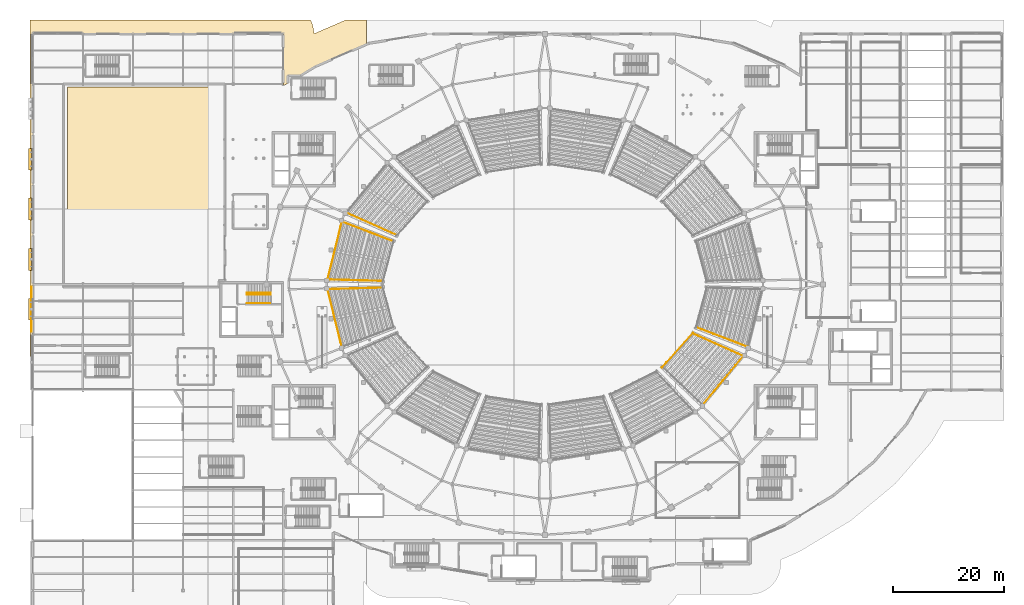
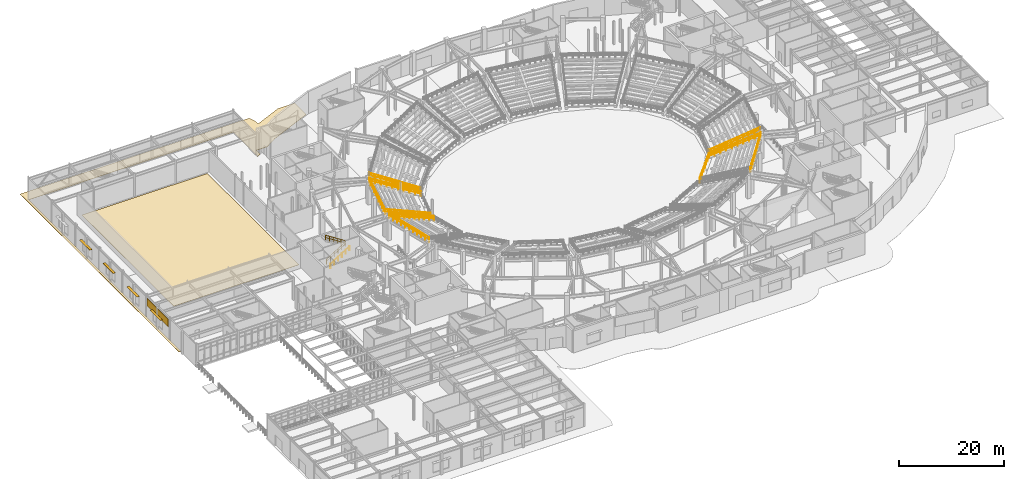
# One storey, part 74 of 79: 12 railings, 4 shading devices, 3 coverings.
"""IFC4 building model written with IfcOpenShell, lengths in metres."""

import ifcopenshell
import ifcopenshell.guid

model = None  # the IFC model being written
_history = None  # IfcOwnerHistory: only IFC2X3 demands one
_inside = {}  # id of a spatial element -> (the spatial element, [elements in it])
_under = {}  # id of a project, library or spatial element -> (it, [spatial elements below it])
_declared = {}  # id of a project -> (the project, [libraries it declares])
_typed = {}  # id of a type object -> (the type object, [elements of that type])
_made_of = {}  # id of a material, layer set ... -> (it, [elements and type objects made of it])


def new_model(schema):
    """Start an empty IFC model of exactly this schema.

    Asked for "IFC4X3", IfcOpenShell would pick the latest addendum, in which some entities
    have other attributes; the version numbers below select the first issue.
    IFC2X3 requires an IfcOwnerHistory on every rooted entity: one is made here for all.
    """
    global model, _history
    if schema == "IFC4X3":
        model = ifcopenshell.file(schema_version=(4, 3, 0, 0))
    else:
        model = ifcopenshell.file(schema=schema)
    _inside.clear()
    _under.clear()
    _declared.clear()
    _typed.clear()
    _made_of.clear()
    _history = None
    if model.schema == "IFC2X3":
        org = make("IfcOrganization", Name="unknown")
        user = make(
            "IfcPersonAndOrganization",
            ThePerson=make("IfcPerson", FamilyName="unknown"),
            TheOrganization=org,
        )
        app = make(
            "IfcApplication",
            ApplicationDeveloper=org,
            Version="unknown",
            ApplicationFullName="unknown",
            ApplicationIdentifier="unknown",
        )
        _history = make(
            "IfcOwnerHistory",
            OwningUser=user,
            OwningApplication=app,
            ChangeAction="ADDED",
            CreationDate=0,
        )
    return model


def make(cls, **values):
    """One entity of the class cls with the attributes given. An attribute that is None is left unset."""
    return model.create_entity(
        cls, **{name: value for name, value in values.items() if value is not None}
    )


def rooted(cls, **values):
    """An entity with a GlobalId (a new one), such as an element, a storey or a relation."""
    return make(cls, GlobalId=ifcopenshell.guid.new(), OwnerHistory=_history, **values)


def si_unit(unit_type, name, prefix=None):
    """IfcSIUnit, for example si_unit("LENGTHUNIT", "METRE", prefix="MILLI")."""
    return make("IfcSIUnit", UnitType=unit_type, Prefix=prefix, Name=name)


def assignment(units):
    """IfcUnitAssignment: the units of a project."""
    return None if units is None else make("IfcUnitAssignment", Units=units)


def point(xyz):
    """IfcCartesianPoint."""
    return None if xyz is None else make("IfcCartesianPoint", Coordinates=xyz)


def direction(xyz):
    """IfcDirection."""
    return None if xyz is None else make("IfcDirection", DirectionRatios=xyz)


def frame(location, z_axis=None, x_axis=None):
    """IfcAxis2Placement3D, a coordinate frame: its origin and axes. An axis left out is left unset."""
    return make(
        "IfcAxis2Placement3D",
        Location=point(location),
        Axis=direction(z_axis),
        RefDirection=direction(x_axis),
    )


def frame_2d(location, x_axis=None):
    """IfcAxis2Placement2D, a coordinate frame in the plane: its origin and x axis."""
    return make(
        "IfcAxis2Placement2D", Location=point(location), RefDirection=direction(x_axis)
    )


def origin():
    """The frame at (0, 0, 0) with its axes left unset."""
    return frame((0.0, 0.0, 0.0))


def origin_2d():
    """The frame at (0, 0) in the plane with its x axis left unset."""
    return frame_2d((0.0, 0.0))


def place(relative_to, where):
    """IfcLocalPlacement: puts the frame where relative to a parent placement (None: the world)."""
    return make(
        "IfcLocalPlacement", PlacementRelTo=relative_to, RelativePlacement=where
    )


def context(
    kind, dimensions, precision=None, world=None, true_north=None, identifier=None
):
    """IfcGeometricRepresentationContext, for example the 3D "Model" context."""
    return make(
        "IfcGeometricRepresentationContext",
        ContextIdentifier=identifier,
        ContextType=kind,
        CoordinateSpaceDimension=dimensions,
        Precision=precision,
        WorldCoordinateSystem=world,
        TrueNorth=true_north,
    )


def subcontext(parent, identifier, kind, view, scale=None):
    """IfcGeometricRepresentationSubContext, for example "Body" below "Model"."""
    return make(
        "IfcGeometricRepresentationSubContext",
        ContextIdentifier=identifier,
        ContextType=kind,
        ParentContext=parent,
        TargetScale=scale,
        TargetView=view,
    )


def project(units=None, contexts=None):
    """IfcProject with its units and contexts."""
    return rooted(
        "IfcProject",
        Name="project",
        RepresentationContexts=contexts,
        UnitsInContext=assignment(units),
    )


def spatial(cls, under=None, at=None, **own):
    """A site, building, storey or space (cls), placed at a placement, below another one or the project."""
    s = rooted(cls, ObjectPlacement=at, **own)
    if under is not None:
        _under.setdefault(under.id(), (under, []))[1].append(s)
    return s


def polyline(points):
    """IfcPolyline through the points."""
    return make("IfcPolyline", Points=[point(p) for p in points])


def profile(cls, at=None, kind="AREA", **sizes):
    """A parametric profile (cls). Its sizes go by their IFC names, for example OverallWidth=200.0."""
    return make(cls, ProfileType=kind, Position=at, **sizes)


def rectangle(**sizes):
    """IfcRectangleProfileDef."""
    return profile("IfcRectangleProfileDef", **sizes)


def circle(**sizes):
    """IfcCircleProfileDef."""
    return profile("IfcCircleProfileDef", **sizes)


def outline(outer, holes=None, kind="AREA"):
    """IfcArbitraryClosedProfileDef: a profile drawn as a closed curve; with holes, ...WithVoids."""
    if holes is None:
        return make("IfcArbitraryClosedProfileDef", ProfileType=kind, OuterCurve=outer)
    return make(
        "IfcArbitraryProfileDefWithVoids",
        ProfileType=kind,
        OuterCurve=outer,
        InnerCurves=holes,
    )


def extrude(swept, where, along, depth):
    """IfcExtrudedAreaSolid: the profile swept, set in the frame where, extruded along a direction by depth."""
    return make(
        "IfcExtrudedAreaSolid",
        SweptArea=swept,
        Position=where,
        ExtrudedDirection=direction(along),
        Depth=depth,
    )


def shape(context_of_items, identifier, shape_type, items):
    """IfcShapeRepresentation: the items that make up one representation, for example the "Body"."""
    return make(
        "IfcShapeRepresentation",
        ContextOfItems=context_of_items,
        RepresentationIdentifier=identifier,
        RepresentationType=shape_type,
        Items=items,
    )


def material(Name=None, Category=None):
    """IfcMaterial."""
    return make("IfcMaterial", Name=Name, Category=Category)


def layer(
    of_material, thickness, ventilated=None, Name=None, Category=None, Priority=None
):
    """IfcMaterialLayer: one layer of a wall or slab, of a material (None: an air gap)."""
    return make(
        "IfcMaterialLayer",
        Material=of_material,
        LayerThickness=thickness,
        IsVentilated=ventilated,
        Name=Name,
        Category=Category,
        Priority=Priority,
    )


def layer_set(layers, Name=None):
    """IfcMaterialLayerSet."""
    return make("IfcMaterialLayerSet", MaterialLayers=layers, LayerSetName=Name)


def made_of(thing, what):
    """Note that an element or type object is made of a material, layer set ...; save() writes the relation."""
    if what is not None:
        _made_of.setdefault(what.id(), (what, []))[1].append(thing)
    return thing


def type_object(cls, material=None, **own):
    """A type object (cls), such as IfcWallType, which elements share."""
    return made_of(rooted(cls, **own), material)


def element(
    cls,
    number,
    at=None,
    inside=None,
    cuts=None,
    type_object=None,
    material=None,
    context=None,
    identifier="Body",
    shape_type=None,
    held_by="IfcProductDefinitionShape",
    body=None,
    shapes=None,
    **own,
):
    """One element of the class cls, such as IfcWall. Its Tag is "e" and its number.

    at: its placement. inside: the storey or other place that contains it. cuts: it is an
    opening in that element (IfcRelVoidsElement). A single representation is given by context,
    identifier, shape_type and body (its items); several are given by shapes. held_by: the class
    of the entity that holds the representations. save() writes the other relations.
    """
    e = rooted(cls, Tag="e%d" % number, ObjectPlacement=at, **own)
    if body is not None:
        shapes = [shape(context, identifier, shape_type, body)]
    if shapes is not None:
        e.Representation = make(held_by, Representations=shapes)
    if inside is not None:
        _inside.setdefault(inside.id(), (inside, []))[1].append(e)
    if cuts is not None:
        rooted(
            "IfcRelVoidsElement", RelatingBuildingElement=cuts, RelatedOpeningElement=e
        )
    if type_object is not None:
        _typed.setdefault(type_object.id(), (type_object, []))[1].append(e)
    return made_of(e, material)


def aggregate(whole, parts):
    """IfcRelAggregates: a whole, such as a stair, and the parts it consists of."""
    return rooted("IfcRelAggregates", RelatingObject=whole, RelatedObjects=parts)


def save(model, path):
    """Write the relations noted so far, then the file.

    IfcRelAggregates (storeys below a building ...), IfcRelContainedInSpatialStructure (elements
    in a storey), IfcRelDefinesByType, IfcRelAssociatesMaterial and IfcRelDeclares: one each for
    every whole, place, type object, material and project.
    """
    for whole, parts in _under.values():
        aggregate(whole, parts)
    for where, things in _inside.values():
        rooted(
            "IfcRelContainedInSpatialStructure",
            RelatedElements=things,
            RelatingStructure=where,
        )
    for kind, things in _typed.values():
        rooted("IfcRelDefinesByType", RelatedObjects=things, RelatingType=kind)
    for what, things in _made_of.values():
        rooted("IfcRelAssociatesMaterial", RelatedObjects=things, RelatingMaterial=what)
    for by, libraries in _declared.values():
        rooted("IfcRelDeclares", RelatingContext=by, RelatedDefinitions=libraries)
    model.write(path)


model = new_model("IFC4")

# Units and contexts
model_context = context("Model", 3, precision=1e-05, world=origin(), true_north=direction((0.0, 1.0)))
body_context = subcontext(model_context, "Body", "Model", "MODEL_VIEW")
ifc_project = project(units=[si_unit("LENGTHUNIT", "METRE"), si_unit("AREAUNIT", "SQUARE_METRE"), si_unit("VOLUMEUNIT", "CUBIC_METRE"), si_unit("PLANEANGLEUNIT", "RADIAN"), si_unit("MASSUNIT", "GRAM", prefix="KILO")], contexts=[model_context])

# Site, building, storey
site_placement = place(None, origin())
site = spatial("IfcSite", under=ifc_project, at=site_placement, CompositionType="ELEMENT")
building_placement = place(site_placement, origin())
building = spatial("IfcBuilding", under=site, at=building_placement, Name="Glasvene Arena", CompositionType="ELEMENT")
storey_placement = place(building_placement, origin())
storey = spatial("IfcBuildingStorey", under=building, at=storey_placement, Name="L00", CompositionType="ELEMENT", Elevation=0.0)

# Coverings
ifc_material_1 = material(Name="Coursed pale Irish limestone", Category="masonry")
ifc_layer_1 = layer(ifc_material_1, 0.050048828125)
ifc_layer_set_1 = layer_set([ifc_layer_1], Name="Coursed pale Irish limestone")
covering_type_1 = type_object("IfcCoveringType", Name="COV-CLAD-LIM", PredefinedType="CLADDING", material=ifc_layer_set_1)
covering_1_placement = place(storey_placement, frame((-0.219970703125, 68.532958984375, 2.949951171875), z_axis=(0.0, 0.0, 1.0), x_axis=(0.0, 1.0, 0.0)))
element("IfcCovering", 1, at=covering_1_placement, inside=storey, type_object=covering_type_1, Name="Irish limestone spandrel cladding EW-L00-0002", PredefinedType="CLADDING", context=body_context, shape_type="SweptSolid", body=[
    extrude(rectangle(XDim=8.06201171875, YDim=0.050048828125, at=origin_2d()), origin(), (0.0, 0.0, 1.0), 1.81494140625),
])
ifc_material_2 = material(Name="Sprung European maple sports flooring")
ifc_layer_2 = layer(ifc_material_2, 0.050048828125)
ifc_layer_set_2 = layer_set([ifc_layer_2], Name="Sprung European maple sports flooring")
covering_type_2 = type_object("IfcCoveringType", Name="COV-FLR-COURT", PredefinedType="FLOORING", material=ifc_layer_set_2)
covering_2_placement = place(storey_placement, frame((20.0, 91.0, 0.0)))
element("IfcCovering", 2, at=covering_2_placement, inside=storey, type_object=covering_type_2, Name="Warm-up practice court sprung maple sports surface", PredefinedType="FLOORING", context=body_context, shape_type="SweptSolid", body=[
    extrude(outline(polyline([(-13.800048828125, -17.5), (13.800048828125, -17.5), (13.800048828125, 17.5), (-13.800048828125, 17.5), (-13.800048828125, -17.5)])), origin(), (0.0, 0.0, 1.0), 0.050048828125),
])
ifc_material_3 = material(Name="Irish silver-grey granite paving", Category="masonry")
ifc_layer_3 = layer(ifc_material_3, 0.06005859375)
ifc_layer_set_3 = layer_set([ifc_layer_3], Name="Irish silver-grey granite paving")
covering_type_3 = type_object("IfcCoveringType", Name="COV-PLAZA-GRAN", PredefinedType="FLOORING", material=ifc_layer_set_3)
covering_3_placement = place(storey_placement, frame((39.859619140625, 110.556396484375, -0.06005859375)))
element("IfcCovering", 3, at=covering_3_placement, inside=storey, type_object=covering_type_3, Name="Perimeter granite street plaza paving 02", PredefinedType="FLOORING", context=body_context, shape_type="SweptSolid", body=[
    extrude(outline(polyline([(10.03466796875, 9.943603515625), (10.2216796875, 9.54833984375), (10.403564453125, 9.040283203125), (10.53466796875, 8.5166015625), (10.61376953125, 7.982666015625), (10.6396484375, 7.460693359375), (16.364501953125, 9.943603515625), (20.140380859375, 9.943603515625), (20.140380859375, 5.596923828125), (10.904052734375, 1.59130859375), (8.277099609375, 0.003662109375), (5.9404296875, 0.003662109375), (5.930419921875, -1.414794921875), (5.150390625, -1.886474609375), (5.150390625, 7.443603515625), (-39.859619140625, 7.45361328125), (-39.86962890625, -50.556396484375), (-40.359619140625, -50.556396484375), (-40.359619140625, 9.943603515625), (10.03466796875, 9.943603515625)])), origin(), (0.0, 0.0, 1.0), 0.06005859375),
])

# Railings
ifc_material_4 = material(Name="Brushed stainless steel", Category="steel")
railing_type_1 = type_object("IfcRailingType", Name="RL-GUARD-1100", PredefinedType="GUARDRAIL", material=ifc_material_4)
railing_1_placement = place(storey_placement, frame((38.449951171875, 71.159912109375, 0.0)))
element("IfcRailing", 4, at=railing_1_placement, inside=storey, type_object=railing_type_1, Name="Stair inner well continuous guardrail ST-07-L00", PredefinedType="GUARDRAIL", context=body_context, shape_type="SweptSolid", body=[
    extrude(circle(Radius=0.02392578125, at=origin_2d()), frame((0.0, 0.0, 1.076171875), z_axis=(0.843501457581, 0.0, 0.537126885437), x_axis=(0.0, 1.0, 0.0)), (0.0, 0.0, 1.0), 5.026611328125),
    extrude(circle(Radius=0.01611328125, at=origin_2d()), frame((0.0, 0.0, 0.550048828125), z_axis=(0.843501457581, 0.0, 0.537126885437), x_axis=(0.0, 1.0, 0.0)), (0.0, 0.0, 1.0), 5.026611328125),
    extrude(circle(Radius=0.02392578125, at=origin_2d()), frame((4.239990234375, 0.0, 3.77587890625), z_axis=(0.0, 1.0, 0.0), x_axis=(-1.0, 0.0, 0.0)), (0.0, 0.0, 1.0), 0.330078125),
    extrude(circle(Radius=0.01611328125, at=origin_2d()), frame((4.239990234375, 0.0, 3.25), z_axis=(0.0, 1.0, 0.0), x_axis=(-1.0, 0.0, 0.0)), (0.0, 0.0, 1.0), 0.330078125),
    extrude(circle(Radius=0.02392578125, at=origin_2d()), frame((4.239990234375, 0.330078125, 3.77587890625), z_axis=(-0.843501457581, 0.0, 0.537126885437), x_axis=(0.0, -1.0, 0.0)), (0.0, 0.0, 1.0), 5.026611328125),
    extrude(circle(Radius=0.01611328125, at=origin_2d()), frame((4.239990234375, 0.330078125, 3.25), z_axis=(-0.843501457581, 0.0, 0.537126885437), x_axis=(0.0, -1.0, 0.0)), (0.0, 0.0, 1.0), 5.026611328125),
    extrude(circle(Radius=0.02099609375, at=origin_2d()), origin(), (0.0, 0.0, 1.0), 1.052001953125),
    extrude(circle(Radius=0.02099609375, at=origin_2d()), frame((0.847900390625, 0.0, 0.5400390625)), (0.0, 0.0, 1.0), 1.052001953125),
    extrude(circle(Radius=0.02099609375, at=origin_2d()), frame((1.696044921875, 0.0, 1.080078125)), (0.0, 0.0, 1.0), 1.052001953125),
    extrude(circle(Radius=0.02099609375, at=origin_2d()), frame((2.5439453125, 0.0, 1.619873046875)), (0.0, 0.0, 1.0), 1.052001953125),
    extrude(circle(Radius=0.02099609375, at=origin_2d()), frame((3.39208984375, 0.0, 2.159912109375)), (0.0, 0.0, 1.0), 1.052001953125),
    extrude(circle(Radius=0.02099609375, at=origin_2d()), frame((4.239990234375, 0.0, 2.699951171875)), (0.0, 0.0, 1.0), 1.052001953125),
    extrude(circle(Radius=0.02099609375, at=origin_2d()), frame((4.239990234375, 0.330078125, 2.699951171875)), (0.0, 0.0, 1.0), 1.052001953125),
    extrude(circle(Radius=0.02099609375, at=origin_2d()), frame((3.39208984375, 0.330078125, 3.239990234375)), (0.0, 0.0, 1.0), 1.052001953125),
    extrude(circle(Radius=0.02099609375, at=origin_2d()), frame((2.5439453125, 0.330078125, 3.780029296875)), (0.0, 0.0, 1.0), 1.052001953125),
    extrude(circle(Radius=0.02099609375, at=origin_2d()), frame((1.696044921875, 0.330078125, 4.31982421875)), (0.0, 0.0, 1.0), 1.052001953125),
    extrude(circle(Radius=0.02099609375, at=origin_2d()), frame((0.847900390625, 0.330078125, 4.85986328125)), (0.0, 0.0, 1.0), 1.052001953125),
    extrude(circle(Radius=0.02099609375, at=origin_2d()), frame((0.0, 0.330078125, 5.39990234375)), (0.0, 0.0, 1.0), 1.052001953125),
])
railing_2_placement = place(storey_placement, frame((65.38818359375, 81.835693359375, 0.760009765625)))
element("IfcRailing", 5, at=railing_2_placement, inside=storey, type_object=railing_type_1, Name="Lower tier radial aisle guard 07-2", PredefinedType="GUARDRAIL", context=body_context, shape_type="SweptSolid", body=[
    extrude(circle(Radius=0.02392578125, at=origin_2d()), frame((0.0, 0.0, 1.076171875), z_axis=(-0.841042563184, 0.375970107459, 0.388965146523), x_axis=(-0.408107570305, -0.912933848129, 0.0)), (0.0, 0.0, 1.0), 10.746337890625),
    extrude(circle(Radius=0.01611328125, at=origin_2d()), frame((0.0, 0.0, 0.550048828125), z_axis=(-0.841042563184, 0.375970107459, 0.388965146523), x_axis=(-0.408107570305, -0.912933848129, 0.0)), (0.0, 0.0, 1.0), 10.746337890625),
    extrude(circle(Radius=0.02099609375, at=origin_2d()), origin(), (0.0, 0.0, 1.0), 1.052001953125),
    extrude(circle(Radius=0.02099609375, at=origin_2d()), frame((-1.004150390625, 0.448974609375, 0.46435546875)), (0.0, 0.0, 1.0), 1.052001953125),
    extrude(circle(Radius=0.02099609375, at=origin_2d()), frame((-2.008544921875, 0.89794921875, 0.928955078125)), (0.0, 0.0, 1.0), 1.052001953125),
    extrude(circle(Radius=0.02099609375, at=origin_2d()), frame((-3.0126953125, 1.3466796875, 1.393310546875)), (0.0, 0.0, 1.0), 1.052001953125),
    extrude(circle(Radius=0.02099609375, at=origin_2d()), frame((-4.016845703125, 1.795654296875, 1.857666015625)), (0.0, 0.0, 1.0), 1.052001953125),
    extrude(circle(Radius=0.02099609375, at=origin_2d()), frame((-5.021240234375, 2.24462890625, 2.322265625)), (0.0, 0.0, 1.0), 1.052001953125),
    extrude(circle(Radius=0.02099609375, at=origin_2d()), frame((-6.025390625, 2.693603515625, 2.78662109375)), (0.0, 0.0, 1.0), 1.052001953125),
    extrude(circle(Radius=0.02099609375, at=origin_2d()), frame((-7.029541015625, 3.142333984375, 3.2509765625)), (0.0, 0.0, 1.0), 1.052001953125),
    extrude(circle(Radius=0.02099609375, at=origin_2d()), frame((-8.033935546875, 3.59130859375, 3.715576171875)), (0.0, 0.0, 1.0), 1.052001953125),
    extrude(circle(Radius=0.02099609375, at=origin_2d()), frame((-9.0380859375, 4.040283203125, 4.179931640625)), (0.0, 0.0, 1.0), 1.052001953125),
])
railing_3_placement = place(storey_placement, frame((55.564697265625, 84.420166015625, 4.93994140625)))
element("IfcRailing", 6, at=railing_3_placement, inside=storey, type_object=railing_type_1, Name="Safety guardrail GD-TL-LR-08-001", PredefinedType="GUARDRAIL", context=body_context, shape_type="SweptSolid", body=[
    extrude(circle(Radius=0.02392578125, at=origin_2d()), frame((0.0, 0.0, 1.076171875), z_axis=(-0.239000734446, -0.971019386487, 0.0), x_axis=(0.971019386487, -0.239000734446, 0.0)), (0.0, 0.0, 1.0), 11.02294921875),
    extrude(circle(Radius=0.01611328125, at=origin_2d()), frame((0.0, 0.0, 0.550048828125), z_axis=(-0.239000734446, -0.971019386487, 0.0), x_axis=(0.971019386487, -0.239000734446, 0.0)), (0.0, 0.0, 1.0), 11.02294921875),
    extrude(circle(Radius=0.02099609375, at=origin_2d()), origin(), (0.0, 0.0, 1.0), 1.052001953125),
    extrude(circle(Radius=0.02099609375, at=origin_2d()), frame((-0.263427734375, -1.0703125, 0.0)), (0.0, 0.0, 1.0), 1.052001953125),
    extrude(circle(Radius=0.02099609375, at=origin_2d()), frame((-0.52685546875, -2.140625, 0.0)), (0.0, 0.0, 1.0), 1.052001953125),
    extrude(circle(Radius=0.02099609375, at=origin_2d()), frame((-0.790283203125, -3.211181640625, 0.0)), (0.0, 0.0, 1.0), 1.052001953125),
    extrude(circle(Radius=0.02099609375, at=origin_2d()), frame((-1.0537109375, -4.281494140625, 0.0)), (0.0, 0.0, 1.0), 1.052001953125),
    extrude(circle(Radius=0.02099609375, at=origin_2d()), frame((-1.3173828125, -5.351806640625, 0.0)), (0.0, 0.0, 1.0), 1.052001953125),
    extrude(circle(Radius=0.02099609375, at=origin_2d()), frame((-1.580810546875, -6.422119140625, 0.0)), (0.0, 0.0, 1.0), 1.052001953125),
    extrude(circle(Radius=0.02099609375, at=origin_2d()), frame((-1.84423828125, -7.492431640625, 0.0)), (0.0, 0.0, 1.0), 1.052001953125),
    extrude(circle(Radius=0.02099609375, at=origin_2d()), frame((-2.107666015625, -8.56298828125, 0.0)), (0.0, 0.0, 1.0), 1.052001953125),
    extrude(circle(Radius=0.02099609375, at=origin_2d()), frame((-2.37109375, -9.63330078125, 0.0)), (0.0, 0.0, 1.0), 1.052001953125),
    extrude(circle(Radius=0.02099609375, at=origin_2d()), frame((-2.634521484375, -10.70361328125, 0.0)), (0.0, 0.0, 1.0), 1.052001953125),
])
railing_4_placement = place(storey_placement, frame((64.7705078125, 80.728271484375, 0.760009765625)))
element("IfcRailing", 7, at=railing_4_placement, inside=storey, type_object=railing_type_1, Name="Lower tier radial aisle guard 08-1", PredefinedType="GUARDRAIL", context=body_context, shape_type="SweptSolid", body=[
    extrude(circle(Radius=0.02392578125, at=origin_2d()), frame((0.0, 0.0, 1.076171875), z_axis=(-0.860565498755, 0.328831939306, 0.388968608046), x_axis=(-0.356940655719, -0.934127062179, 0.0)), (0.0, 0.0, 1.0), 10.74609375),
    extrude(circle(Radius=0.01611328125, at=origin_2d()), frame((0.0, 0.0, 0.550048828125), z_axis=(-0.860565498755, 0.328831939306, 0.388968608046), x_axis=(-0.356940655719, -0.934127062179, 0.0)), (0.0, 0.0, 1.0), 10.74609375),
    extrude(circle(Radius=0.02099609375, at=origin_2d()), origin(), (0.0, 0.0, 1.0), 1.052001953125),
    extrude(circle(Radius=0.02099609375, at=origin_2d()), frame((-1.027587890625, 0.392578125, 0.46435546875)), (0.0, 0.0, 1.0), 1.052001953125),
    extrude(circle(Radius=0.02099609375, at=origin_2d()), frame((-2.05517578125, 0.78515625, 0.928955078125)), (0.0, 0.0, 1.0), 1.052001953125),
    extrude(circle(Radius=0.02099609375, at=origin_2d()), frame((-3.08251953125, 1.177978515625, 1.393310546875)), (0.0, 0.0, 1.0), 1.052001953125),
    extrude(circle(Radius=0.02099609375, at=origin_2d()), frame((-4.110107421875, 1.570556640625, 1.857666015625)), (0.0, 0.0, 1.0), 1.052001953125),
    extrude(circle(Radius=0.02099609375, at=origin_2d()), frame((-5.1376953125, 1.963134765625, 2.322265625)), (0.0, 0.0, 1.0), 1.052001953125),
    extrude(circle(Radius=0.02099609375, at=origin_2d()), frame((-6.165283203125, 2.355712890625, 2.78662109375)), (0.0, 0.0, 1.0), 1.052001953125),
    extrude(circle(Radius=0.02099609375, at=origin_2d()), frame((-7.192626953125, 2.74853515625, 3.2509765625)), (0.0, 0.0, 1.0), 1.052001953125),
    extrude(circle(Radius=0.02099609375, at=origin_2d()), frame((-8.22021484375, 3.14111328125, 3.715576171875)), (0.0, 0.0, 1.0), 1.052001953125),
    extrude(circle(Radius=0.02099609375, at=origin_2d()), frame((-9.247802734375, 3.53369140625, 4.179931640625)), (0.0, 0.0, 1.0), 1.052001953125),
])
railing_5_placement = place(storey_placement, frame((62.861083984375, 73.599365234375, 0.760009765625)))
element("IfcRailing", 8, at=railing_5_placement, inside=storey, type_object=railing_type_1, Name="Lower tier radial aisle guard 08-2", PredefinedType="GUARDRAIL", context=body_context, shape_type="SweptSolid", body=[
    extrude(circle(Radius=0.02392578125, at=origin_2d()), frame((0.0, 0.0, 1.076171875), z_axis=(-0.920895570799, 0.025513537426, 0.388973530065), x_axis=(-0.027694509667, -0.999616433506, 0.0)), (0.0, 0.0, 1.0), 10.74609375),
    extrude(circle(Radius=0.01611328125, at=origin_2d()), frame((0.0, 0.0, 0.550048828125), z_axis=(-0.920895570799, 0.025513537426, 0.388973530065), x_axis=(-0.027694509667, -0.999616433506, 0.0)), (0.0, 0.0, 1.0), 10.74609375),
    extrude(circle(Radius=0.02099609375, at=origin_2d()), origin(), (0.0, 0.0, 1.0), 1.052001953125),
    extrude(circle(Radius=0.02099609375, at=origin_2d()), frame((-1.099609375, 0.030517578125, 0.46435546875)), (0.0, 0.0, 1.0), 1.052001953125),
    extrude(circle(Radius=0.02099609375, at=origin_2d()), frame((-2.19921875, 0.06103515625, 0.928955078125)), (0.0, 0.0, 1.0), 1.052001953125),
    extrude(circle(Radius=0.02099609375, at=origin_2d()), frame((-3.298583984375, 0.09130859375, 1.393310546875)), (0.0, 0.0, 1.0), 1.052001953125),
    extrude(circle(Radius=0.02099609375, at=origin_2d()), frame((-4.398193359375, 0.121826171875, 1.857666015625)), (0.0, 0.0, 1.0), 1.052001953125),
    extrude(circle(Radius=0.02099609375, at=origin_2d()), frame((-5.497802734375, 0.15234375, 2.322265625)), (0.0, 0.0, 1.0), 1.052001953125),
    extrude(circle(Radius=0.02099609375, at=origin_2d()), frame((-6.597412109375, 0.182861328125, 2.78662109375)), (0.0, 0.0, 1.0), 1.052001953125),
    extrude(circle(Radius=0.02099609375, at=origin_2d()), frame((-7.69677734375, 0.213134765625, 3.2509765625)), (0.0, 0.0, 1.0), 1.052001953125),
    extrude(circle(Radius=0.02099609375, at=origin_2d()), frame((-8.79638671875, 0.24365234375, 3.715576171875)), (0.0, 0.0, 1.0), 1.052001953125),
    extrude(circle(Radius=0.02099609375, at=origin_2d()), frame((-9.89599609375, 0.274169921875, 4.179931640625)), (0.0, 0.0, 1.0), 1.052001953125),
])
railing_6_placement = place(storey_placement, frame((52.93017578125, 72.283447265625, 4.93994140625)))
element("IfcRailing", 9, at=railing_6_placement, inside=storey, type_object=railing_type_1, Name="Safety guardrail GD-TL-LR-09-001", PredefinedType="GUARDRAIL", context=body_context, shape_type="SweptSolid", body=[
    extrude(circle(Radius=0.02392578125, at=origin_2d()), frame((0.0, 0.0, 1.076171875), z_axis=(0.239000734446, -0.971019386487, 0.0), x_axis=(0.971019386487, 0.239000734446, 0.0)), (0.0, 0.0, 1.0), 11.02294921875),
    extrude(circle(Radius=0.01611328125, at=origin_2d()), frame((0.0, 0.0, 0.550048828125), z_axis=(0.239000734446, -0.971019386487, 0.0), x_axis=(0.971019386487, 0.239000734446, 0.0)), (0.0, 0.0, 1.0), 11.02294921875),
    extrude(circle(Radius=0.02099609375, at=origin_2d()), origin(), (0.0, 0.0, 1.0), 1.052001953125),
    extrude(circle(Radius=0.02099609375, at=origin_2d()), frame((0.263427734375, -1.0703125, 0.0)), (0.0, 0.0, 1.0), 1.052001953125),
    extrude(circle(Radius=0.02099609375, at=origin_2d()), frame((0.52685546875, -2.140625, 0.0)), (0.0, 0.0, 1.0), 1.052001953125),
    extrude(circle(Radius=0.02099609375, at=origin_2d()), frame((0.790283203125, -3.211181640625, 0.0)), (0.0, 0.0, 1.0), 1.052001953125),
    extrude(circle(Radius=0.02099609375, at=origin_2d()), frame((1.0537109375, -4.281494140625, 0.0)), (0.0, 0.0, 1.0), 1.052001953125),
    extrude(circle(Radius=0.02099609375, at=origin_2d()), frame((1.3173828125, -5.351806640625, 0.0)), (0.0, 0.0, 1.0), 1.052001953125),
    extrude(circle(Radius=0.02099609375, at=origin_2d()), frame((1.580810546875, -6.422119140625, 0.0)), (0.0, 0.0, 1.0), 1.052001953125),
    extrude(circle(Radius=0.02099609375, at=origin_2d()), frame((1.84423828125, -7.492431640625, 0.0)), (0.0, 0.0, 1.0), 1.052001953125),
    extrude(circle(Radius=0.02099609375, at=origin_2d()), frame((2.107666015625, -8.56298828125, 0.0)), (0.0, 0.0, 1.0), 1.052001953125),
    extrude(circle(Radius=0.02099609375, at=origin_2d()), frame((2.37109375, -9.63330078125, 0.0)), (0.0, 0.0, 1.0), 1.052001953125),
    extrude(circle(Radius=0.02099609375, at=origin_2d()), frame((2.634521484375, -10.70361328125, 0.0)), (0.0, 0.0, 1.0), 1.052001953125),
])
railing_7_placement = place(storey_placement, frame((62.861083984375, 72.400634765625, 0.760009765625)))
element("IfcRailing", 10, at=railing_7_placement, inside=storey, type_object=railing_type_1, Name="Lower tier radial aisle guard 09-1", PredefinedType="GUARDRAIL", context=body_context, shape_type="SweptSolid", body=[
    extrude(circle(Radius=0.02392578125, at=origin_2d()), frame((0.0, 0.0, 1.076171875), z_axis=(-0.920895570799, -0.025513537426, 0.388973530065), x_axis=(0.027694509667, -0.999616433506, 0.0)), (0.0, 0.0, 1.0), 10.74609375),
    extrude(circle(Radius=0.01611328125, at=origin_2d()), frame((0.0, 0.0, 0.550048828125), z_axis=(-0.920895570799, -0.025513537426, 0.388973530065), x_axis=(0.027694509667, -0.999616433506, 0.0)), (0.0, 0.0, 1.0), 10.74609375),
    extrude(circle(Radius=0.02099609375, at=origin_2d()), origin(), (0.0, 0.0, 1.0), 1.052001953125),
    extrude(circle(Radius=0.02099609375, at=origin_2d()), frame((-1.099609375, -0.030517578125, 0.46435546875)), (0.0, 0.0, 1.0), 1.052001953125),
    extrude(circle(Radius=0.02099609375, at=origin_2d()), frame((-2.19921875, -0.06103515625, 0.928955078125)), (0.0, 0.0, 1.0), 1.052001953125),
    extrude(circle(Radius=0.02099609375, at=origin_2d()), frame((-3.298583984375, -0.09130859375, 1.393310546875)), (0.0, 0.0, 1.0), 1.052001953125),
    extrude(circle(Radius=0.02099609375, at=origin_2d()), frame((-4.398193359375, -0.121826171875, 1.857666015625)), (0.0, 0.0, 1.0), 1.052001953125),
    extrude(circle(Radius=0.02099609375, at=origin_2d()), frame((-5.497802734375, -0.15234375, 2.322265625)), (0.0, 0.0, 1.0), 1.052001953125),
    extrude(circle(Radius=0.02099609375, at=origin_2d()), frame((-6.597412109375, -0.182861328125, 2.78662109375)), (0.0, 0.0, 1.0), 1.052001953125),
    extrude(circle(Radius=0.02099609375, at=origin_2d()), frame((-7.69677734375, -0.213134765625, 3.2509765625)), (0.0, 0.0, 1.0), 1.052001953125),
    extrude(circle(Radius=0.02099609375, at=origin_2d()), frame((-8.79638671875, -0.24365234375, 3.715576171875)), (0.0, 0.0, 1.0), 1.052001953125),
    extrude(circle(Radius=0.02099609375, at=origin_2d()), frame((-9.89599609375, -0.274169921875, 4.179931640625)), (0.0, 0.0, 1.0), 1.052001953125),
])
railing_8_placement = place(storey_placement, frame((113.052734375, 58.06298828125, 0.760009765625)))
element("IfcRailing", 11, at=railing_8_placement, inside=storey, type_object=railing_type_1, Name="Safety guardrail GD-TL-LF-15-001", PredefinedType="GUARDRAIL", context=body_context, shape_type="SweptSolid", body=[
    extrude(circle(Radius=0.02392578125, at=origin_2d()), frame((0.0, 0.0, 1.076171875), z_axis=(0.668942136824, 0.743314480944, 0.0), x_axis=(-0.743314480944, 0.668942136824, 0.0)), (0.0, 0.0, 1.0), 8.357666015625),
    extrude(circle(Radius=0.01611328125, at=origin_2d()), frame((0.0, 0.0, 0.550048828125), z_axis=(0.668942136824, 0.743314480944, 0.0), x_axis=(-0.743314480944, 0.668942136824, 0.0)), (0.0, 0.0, 1.0), 8.357666015625),
    extrude(circle(Radius=0.02099609375, at=origin_2d()), origin(), (0.0, 0.0, 1.0), 1.052001953125),
    extrude(circle(Radius=0.02099609375, at=origin_2d()), frame((0.798583984375, 0.887451171875, 0.0)), (0.0, 0.0, 1.0), 1.052001953125),
    extrude(circle(Radius=0.02099609375, at=origin_2d()), frame((1.597412109375, 1.77490234375, 0.0)), (0.0, 0.0, 1.0), 1.052001953125),
    extrude(circle(Radius=0.02099609375, at=origin_2d()), frame((2.39599609375, 2.662353515625, 0.0)), (0.0, 0.0, 1.0), 1.052001953125),
    extrude(circle(Radius=0.02099609375, at=origin_2d()), frame((3.19482421875, 3.550048828125, 0.0)), (0.0, 0.0, 1.0), 1.052001953125),
    extrude(circle(Radius=0.02099609375, at=origin_2d()), frame((3.993408203125, 4.4375, 0.0)), (0.0, 0.0, 1.0), 1.052001953125),
    extrude(circle(Radius=0.02099609375, at=origin_2d()), frame((4.792236328125, 5.324951171875, 0.0)), (0.0, 0.0, 1.0), 1.052001953125),
    extrude(circle(Radius=0.02099609375, at=origin_2d()), frame((5.5908203125, 6.21240234375, 0.0)), (0.0, 0.0, 1.0), 1.052001953125),
])
railing_9_placement = place(storey_placement, frame((120.253662109375, 51.181884765625, 4.93994140625)))
element("IfcRailing", 12, at=railing_9_placement, inside=storey, type_object=railing_type_1, Name="Safety guardrail GD-TL-LR-15-001", PredefinedType="GUARDRAIL", context=body_context, shape_type="SweptSolid", body=[
    extrude(circle(Radius=0.02392578125, at=origin_2d()), frame((0.0, 0.0, 1.076171875), z_axis=(0.637226468671, 0.770676603787, 0.0), x_axis=(-0.770676603787, 0.637226468671, 0.0)), (0.0, 0.0, 1.0), 11.7744140625),
    extrude(circle(Radius=0.01611328125, at=origin_2d()), frame((0.0, 0.0, 0.550048828125), z_axis=(0.637226468671, 0.770676603787, 0.0), x_axis=(-0.770676603787, 0.637226468671, 0.0)), (0.0, 0.0, 1.0), 11.7744140625),
    extrude(circle(Radius=0.02099609375, at=origin_2d()), origin(), (0.0, 0.0, 1.0), 1.052001953125),
    extrude(circle(Radius=0.02099609375, at=origin_2d()), frame((0.750244140625, 0.907470703125, 0.0)), (0.0, 0.0, 1.0), 1.052001953125),
    extrude(circle(Radius=0.02099609375, at=origin_2d()), frame((1.50048828125, 1.81494140625, 0.0)), (0.0, 0.0, 1.0), 1.052001953125),
    extrude(circle(Radius=0.02099609375, at=origin_2d()), frame((2.2509765625, 2.72216796875, 0.0)), (0.0, 0.0, 1.0), 1.052001953125),
    extrude(circle(Radius=0.02099609375, at=origin_2d()), frame((3.001220703125, 3.629638671875, 0.0)), (0.0, 0.0, 1.0), 1.052001953125),
    extrude(circle(Radius=0.02099609375, at=origin_2d()), frame((3.75146484375, 4.537109375, 0.0)), (0.0, 0.0, 1.0), 1.052001953125),
    extrude(circle(Radius=0.02099609375, at=origin_2d()), frame((4.501708984375, 5.444580078125, 0.0)), (0.0, 0.0, 1.0), 1.052001953125),
    extrude(circle(Radius=0.02099609375, at=origin_2d()), frame((5.251953125, 6.35205078125, 0.0)), (0.0, 0.0, 1.0), 1.052001953125),
    extrude(circle(Radius=0.02099609375, at=origin_2d()), frame((6.00244140625, 7.25927734375, 0.0)), (0.0, 0.0, 1.0), 1.052001953125),
    extrude(circle(Radius=0.02099609375, at=origin_2d()), frame((6.752685546875, 8.166748046875, 0.0)), (0.0, 0.0, 1.0), 1.052001953125),
    extrude(circle(Radius=0.02099609375, at=origin_2d()), frame((7.5029296875, 9.07421875, 0.0)), (0.0, 0.0, 1.0), 1.052001953125),
])
railing_10_placement = place(storey_placement, frame((118.61181640625, 64.164306640625, 0.760009765625)))
element("IfcRailing", 13, at=railing_10_placement, inside=storey, type_object=railing_type_1, Name="Lower tier radial aisle guard 15-2", PredefinedType="GUARDRAIL", context=body_context, shape_type="SweptSolid", body=[
    extrude(circle(Radius=0.02392578125, at=origin_2d()), frame((0.0, 0.0, 1.076171875), z_axis=(0.841042563184, -0.375970107459, 0.388965146523), x_axis=(0.408107570305, 0.912933848129, 0.0)), (0.0, 0.0, 1.0), 10.746337890625),
    extrude(circle(Radius=0.01611328125, at=origin_2d()), frame((0.0, 0.0, 0.550048828125), z_axis=(0.841042563184, -0.375970107459, 0.388965146523), x_axis=(0.408107570305, 0.912933848129, 0.0)), (0.0, 0.0, 1.0), 10.746337890625),
    extrude(circle(Radius=0.02099609375, at=origin_2d()), origin(), (0.0, 0.0, 1.0), 1.052001953125),
    extrude(circle(Radius=0.02099609375, at=origin_2d()), frame((1.004150390625, -0.448974609375, 0.46435546875)), (0.0, 0.0, 1.0), 1.052001953125),
    extrude(circle(Radius=0.02099609375, at=origin_2d()), frame((2.008544921875, -0.89794921875, 0.928955078125)), (0.0, 0.0, 1.0), 1.052001953125),
    extrude(circle(Radius=0.02099609375, at=origin_2d()), frame((3.0126953125, -1.3466796875, 1.393310546875)), (0.0, 0.0, 1.0), 1.052001953125),
    extrude(circle(Radius=0.02099609375, at=origin_2d()), frame((4.016845703125, -1.795654296875, 1.857666015625)), (0.0, 0.0, 1.0), 1.052001953125),
    extrude(circle(Radius=0.02099609375, at=origin_2d()), frame((5.021240234375, -2.24462890625, 2.322265625)), (0.0, 0.0, 1.0), 1.052001953125),
    extrude(circle(Radius=0.02099609375, at=origin_2d()), frame((6.025390625, -2.693603515625, 2.78662109375)), (0.0, 0.0, 1.0), 1.052001953125),
    extrude(circle(Radius=0.02099609375, at=origin_2d()), frame((7.029541015625, -3.142333984375, 3.2509765625)), (0.0, 0.0, 1.0), 1.052001953125),
    extrude(circle(Radius=0.02099609375, at=origin_2d()), frame((8.033935546875, -3.59130859375, 3.715576171875)), (0.0, 0.0, 1.0), 1.052001953125),
    extrude(circle(Radius=0.02099609375, at=origin_2d()), frame((9.0380859375, -4.040283203125, 4.179931640625)), (0.0, 0.0, 1.0), 1.052001953125),
])
railing_11_placement = place(storey_placement, frame((119.2294921875, 65.271728515625, 0.760009765625)))
element("IfcRailing", 14, at=railing_11_placement, inside=storey, type_object=railing_type_1, Name="Lower tier radial aisle guard 16-1", PredefinedType="GUARDRAIL", context=body_context, shape_type="SweptSolid", body=[
    extrude(circle(Radius=0.02392578125, at=origin_2d()), frame((0.0, 0.0, 1.076171875), z_axis=(0.860565498755, -0.328831939306, 0.388968608046), x_axis=(0.356940655719, 0.934127062179, 0.0)), (0.0, 0.0, 1.0), 10.74609375),
    extrude(circle(Radius=0.01611328125, at=origin_2d()), frame((0.0, 0.0, 0.550048828125), z_axis=(0.860565498755, -0.328831939306, 0.388968608046), x_axis=(0.356940655719, 0.934127062179, 0.0)), (0.0, 0.0, 1.0), 10.74609375),
    extrude(circle(Radius=0.02099609375, at=origin_2d()), origin(), (0.0, 0.0, 1.0), 1.052001953125),
    extrude(circle(Radius=0.02099609375, at=origin_2d()), frame((1.027587890625, -0.392578125, 0.46435546875)), (0.0, 0.0, 1.0), 1.052001953125),
    extrude(circle(Radius=0.02099609375, at=origin_2d()), frame((2.05517578125, -0.78515625, 0.928955078125)), (0.0, 0.0, 1.0), 1.052001953125),
    extrude(circle(Radius=0.02099609375, at=origin_2d()), frame((3.08251953125, -1.177978515625, 1.393310546875)), (0.0, 0.0, 1.0), 1.052001953125),
    extrude(circle(Radius=0.02099609375, at=origin_2d()), frame((4.110107421875, -1.570556640625, 1.857666015625)), (0.0, 0.0, 1.0), 1.052001953125),
    extrude(circle(Radius=0.02099609375, at=origin_2d()), frame((5.1376953125, -1.963134765625, 2.322265625)), (0.0, 0.0, 1.0), 1.052001953125),
    extrude(circle(Radius=0.02099609375, at=origin_2d()), frame((6.165283203125, -2.355712890625, 2.78662109375)), (0.0, 0.0, 1.0), 1.052001953125),
    extrude(circle(Radius=0.02099609375, at=origin_2d()), frame((7.192626953125, -2.74853515625, 3.2509765625)), (0.0, 0.0, 1.0), 1.052001953125),
    extrude(circle(Radius=0.02099609375, at=origin_2d()), frame((8.22021484375, -3.14111328125, 3.715576171875)), (0.0, 0.0, 1.0), 1.052001953125),
    extrude(circle(Radius=0.02099609375, at=origin_2d()), frame((9.247802734375, -3.53369140625, 4.179931640625)), (0.0, 0.0, 1.0), 1.052001953125),
])
railing_type_2 = type_object("IfcRailingType", Name="RL-HAND-950", PredefinedType="HANDRAIL", material=ifc_material_4)
railing_12_placement = place(storey_placement, frame((38.449951171875, 69.610107421875, 0.0)))
element("IfcRailing", 15, at=railing_12_placement, inside=storey, type_object=railing_type_2, Name="Stair wall handrail ST-07-L00", PredefinedType="HANDRAIL", context=body_context, shape_type="SweptSolid", body=[
    extrude(circle(Radius=0.02392578125, at=origin_2d()), frame((0.0, 0.0, 0.92578125), z_axis=(0.841180064094, 0.0, 0.540755119968), x_axis=(0.0, 1.0, 0.0)), (0.0, 0.0, 1.0), 4.992919921875),
    extrude(circle(Radius=0.02099609375, at=origin_2d()), origin(), (0.0, 0.0, 1.0), 0.90185546875),
    extrude(circle(Radius=0.02099609375, at=origin_2d()), frame((0.840087890625, 0.0, 0.5400390625)), (0.0, 0.0, 1.0), 0.90185546875),
    extrude(circle(Radius=0.02099609375, at=origin_2d()), frame((1.679931640625, 0.0, 1.080078125)), (0.0, 0.0, 1.0), 0.90185546875),
    extrude(circle(Radius=0.02099609375, at=origin_2d()), frame((2.52001953125, 0.0, 1.619873046875)), (0.0, 0.0, 1.0), 0.90185546875),
    extrude(circle(Radius=0.02099609375, at=origin_2d()), frame((3.35986328125, 0.0, 2.159912109375)), (0.0, 0.0, 1.0), 0.90185546875),
    extrude(circle(Radius=0.02099609375, at=origin_2d()), frame((4.199951171875, 0.0, 2.699951171875)), (0.0, 0.0, 1.0), 0.90185546875),
])

# Shading devices
ifc_material_5 = material(Name="Warm bronze architectural aluminium", Category="aluminium")
ifc_layer_4 = layer(ifc_material_5, 0.06005859375)
ifc_layer_set_4 = layer_set([ifc_layer_4], Name="Warm bronze architectural aluminium")
shading_device_type = type_object("IfcShadingDeviceType", Name="SHD-BRONZE-FIN", PredefinedType="USERDEFINED", material=ifc_layer_set_4)
for number, where, z_axis, x_axis, name in (
    (16, (-0.465087890625, 68.532958984375, 3.320068359375), (0.0, 0.0, 1.0), (0.0, 1.0, 0.0), "Warm bronze brise-soleil fin BS-001"),
    (17, (-0.465087890625, 77.467041015625, 3.320068359375), (0.0, 0.0, 1.0), (0.0, 1.0, 0.0), "Warm bronze brise-soleil fin BS-002"),
    (18, (-0.465087890625, 86.532958984375, 3.320068359375), (0.0, 0.0, 1.0), (0.0, 1.0, 0.0), "Warm bronze brise-soleil fin BS-003"),
    (19, (-0.465087890625, 95.467041015625, 3.320068359375), (0.0, 0.0, 1.0), (0.0, 1.0, 0.0), "Warm bronze brise-soleil fin BS-004"),
):
    element("IfcShadingDevice", number, at=place(storey_placement, frame(where, z_axis=z_axis, x_axis=x_axis)), inside=storey, type_object=shading_device_type, Name=name, ObjectType="BRISE SOLEIL", PredefinedType="USERDEFINED", context=body_context, shape_type="SweptSolid", body=[
        extrude(rectangle(XDim=3.89990234375, YDim=0.550048828125, at=origin_2d()), origin(), (0.0, 0.0, 1.0), 0.06005859375),
    ])

save(model, "model.ifc")
